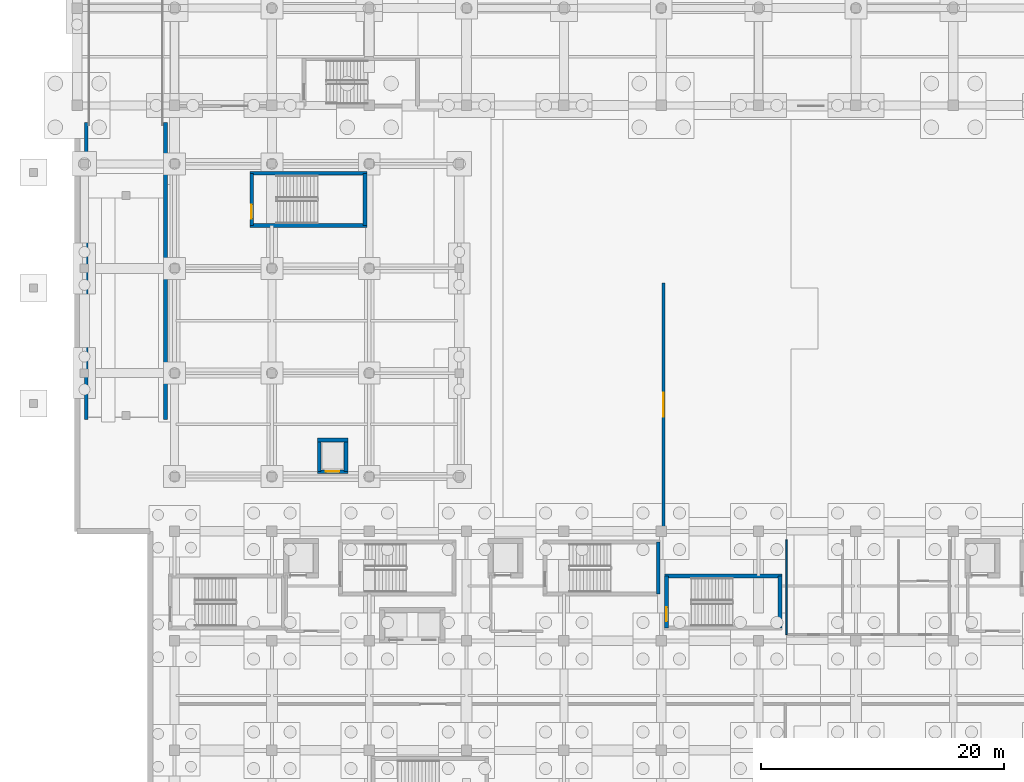
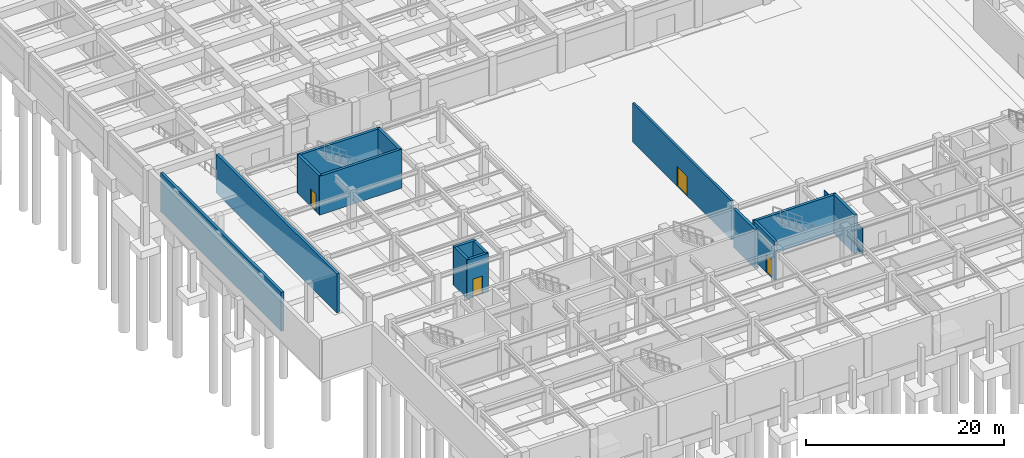
# One storey, part 29 of 48: 16 walls, 4 doors, 4 openings.
"""IFC4 building model written with IfcOpenShell, lengths in metres."""

from ifc_helpers import new_model, si_unit, direction, frame, frame_2d, origin, place, context, subcontext, project, spatial, rectangle, extrude, material, layer, layer_set, type_object, element, fill, save


model = new_model("IFC4")

# Units and contexts
model_context = context("Model", 3, precision=1e-05, world=origin(), true_north=direction((0.0, 1.0)))
body_context = subcontext(model_context, "Body", "Model", "MODEL_VIEW")
ifc_project = project(units=[si_unit("LENGTHUNIT", "METRE"), si_unit("AREAUNIT", "SQUARE_METRE"), si_unit("VOLUMEUNIT", "CUBIC_METRE"), si_unit("PLANEANGLEUNIT", "RADIAN"), si_unit("MASSUNIT", "GRAM", prefix="KILO")], contexts=[model_context])

# Site, building, storey
site_placement = place(None, origin())
site = spatial("IfcSite", under=ifc_project, at=site_placement, CompositionType="ELEMENT")
building_placement = place(site_placement, origin())
building = spatial("IfcBuilding", under=site, at=building_placement, Name="Tlacozan Convention Centre", CompositionType="ELEMENT")
storey_placement = place(building_placement, frame((0.0, 0.0, -4.800048828125)))
storey = spatial("IfcBuildingStorey", under=building, at=storey_placement, Name="B01", CompositionType="ELEMENT", Elevation=-4.800048828125)

# Wall, opening, door
ifc_material_1 = material(Name="Concrete C40/50", Category="concrete")
ifc_layer_1 = layer(ifc_material_1, 0.260009765625)
ifc_layer_set_1 = layer_set([ifc_layer_1], Name="Concrete C40/50")
wall_type_1 = type_object("IfcWallType", Name="Compartment Rated Wall RC 260", PredefinedType="SOLIDWALL", material=ifc_layer_set_1)
wall_1_placement = place(storey_placement, frame((48.199951171875, 27.39990234375, 0.0), z_axis=(0.0, 0.0, 1.0), x_axis=(0.0, 1.0, 0.0)))
wall_1 = element("IfcWall", 1, at=wall_1_placement, inside=storey, type_object=wall_type_1, Name="B01 Compartment Rated Wall RC 260 568", PredefinedType="SOLIDWALL", context=body_context, shape_type="SweptSolid", body=[
    extrude(rectangle(XDim=20.0, YDim=0.260009765625, at=frame_2d((10.0, 0.0))), origin(), (0.0, 0.0, 1.0), 4.800048828125),
])
opening_1_placement = place(wall_1_placement, frame((9.0, 0.0, 0.0)))
opening_1 = element("IfcOpeningElement", 2, at=opening_1_placement, cuts=wall_1, Name="Opening ID-12", PredefinedType="OPENING", context=body_context, shape_type="SweptSolid", body=[
    extrude(rectangle(XDim=2.0, YDim=2.449951171875, at=frame_2d((1.0, 1.22509765625))), frame((0.0, 0.139892578125, 0.0), z_axis=(0.0, -1.0, 0.0), x_axis=(1.0, 0.0, 0.0)), (0.0, 0.0, 1.0), 0.280029296875),
])
ifc_material_2 = material(Name="Fire-Rated Insulated Steel Door Leaf", Category="steel")
door_type_1 = type_object("IfcDoorType", Name="Plant Equipment Double Door 2000x2450", OperationType="DOUBLE_DOOR_SINGLE_SWING", PredefinedType="DOOR", material=ifc_material_2)
door_1_placement = place(opening_1_placement, origin())
door_1 = element("IfcDoor", 3, at=door_1_placement, inside=storey, type_object=door_type_1, Name="B01 Plant Equipment Double Door 2000x2450 154", OperationType="DOUBLE_DOOR_SINGLE_SWING", OverallHeight=2.449951171875, OverallWidth=2.0, PredefinedType="DOOR", context=body_context, shape_type="SweptSolid", body=[
    extrude(rectangle(XDim=2.0, YDim=2.449951171875, at=frame_2d((1.0, 1.22509765625))), frame((0.0, 0.02490234375, 0.0), z_axis=(0.0, -1.0, 0.0), x_axis=(1.0, 0.0, 0.0)), (0.0, 0.0, 1.0), 0.050048828125),
])
fill(opening_1, door_1)

# Walls
ifc_material_3 = material(Name="Acoustic Double-Stud Partition Assembly")
ifc_layer_2 = layer(ifc_material_3, 0.1201171875)
ifc_layer_set_2 = layer_set([ifc_layer_2], Name="Acoustic Double-Stud Partition Assembly")
wall_type_2 = type_object("IfcWallType", Name="Sanitary Tile Partition 120", PredefinedType="PARTITIONING", material=ifc_layer_set_2)
wall_2_placement = place(storey_placement, frame((58.300048828125, 18.5, 0.0), z_axis=(0.0, 0.0, 1.0), x_axis=(0.0, 1.0, 0.0)))
element("IfcWall", 4, at=wall_2_placement, inside=storey, type_object=wall_type_2, Name="B01 Sanitary Tile Partition 120 526", PredefinedType="PARTITIONING", context=body_context, shape_type="SweptSolid", body=[
    extrude(rectangle(XDim=7.800048828125, YDim=0.1201171875, at=frame_2d((3.89990234375, 0.0))), origin(), (0.0, 0.0, 1.0), 3.25),
])
ifc_layer_3 = layer(ifc_material_1, 0.31005859375)
ifc_layer_set_3 = layer_set([ifc_layer_3], Name="Concrete C40/50")
wall_type_3 = type_object("IfcWallType", Name="Stair Shaft Shear Wall RC 310", PredefinedType="SHEAR", material=ifc_layer_set_3)
wall_3_placement = place(storey_placement, frame((47.760009765625, 21.840087890625, 0.0), z_axis=(0.0, 0.0, 1.0), x_axis=(0.0, 1.0, 0.0)))
element("IfcWall", 5, at=wall_3_placement, inside=storey, type_object=wall_type_3, Name="B01 Stair Shaft Shear Wall RC 310 172", PredefinedType="SHEAR", context=body_context, shape_type="SweptSolid", body=[
    extrude(rectangle(XDim=4.280029296875, YDim=0.31005859375, at=frame_2d((2.14013671875, 0.0))), origin(), (0.0, 0.0, 1.0), 4.800048828125),
])
wall_4_placement = place(storey_placement, frame((48.284912109375, 23.320068359375, 0.0), z_axis=(0.0, 0.0, 1.0), x_axis=(1.0, 0.0, 0.0)))
element("IfcWall", 6, at=wall_4_placement, inside=storey, type_object=wall_type_3, Name="B01 Stair Shaft Shear Wall RC 310 310", PredefinedType="SHEAR", context=body_context, shape_type="SweptSolid", body=[
    extrude(rectangle(XDim=9.630126953125, YDim=0.31005859375, at=frame_2d((4.81494140625, 0.0))), origin(), (0.0, 0.0, 1.0), 4.800048828125),
])

# Wall, opening, door
wall_5_placement = place(storey_placement, frame((48.43994140625, 19.0400390625, 0.0), z_axis=(0.0, 0.0, 1.0), x_axis=(0.0, 1.0, 0.0)))
wall_5 = element("IfcWall", 7, at=wall_5_placement, inside=storey, type_object=wall_type_3, Name="B01 Stair Shaft Shear Wall RC 310 311", PredefinedType="SHEAR", context=body_context, shape_type="SweptSolid", body=[
    extrude(rectangle(XDim=4.280029296875, YDim=0.31005859375, at=frame_2d((2.14013671875, 0.0))), origin(), (0.0, 0.0, 1.0), 4.800048828125),
])
opening_2_placement = place(wall_5_placement, frame((0.550048828125, 0.0, 0.0)))
opening_2 = element("IfcOpeningElement", 8, at=opening_2_placement, cuts=wall_5, Name="Opening FD-02", PredefinedType="OPENING", context=body_context, shape_type="SweptSolid", body=[
    extrude(rectangle(XDim=1.14990234375, YDim=2.199951171875, at=frame_2d((0.574951171875, 1.10009765625))), frame((0.0, 0.1650390625, 0.0), z_axis=(0.0, -1.0, 0.0), x_axis=(1.0, 0.0, 0.0)), (0.0, 0.0, 1.0), 0.330078125),
])
door_type_2 = type_object("IfcDoorType", Name="Fire Door Stair 1150x2200 FD90", OperationType="NOTDEFINED", PredefinedType="DOOR", material=ifc_material_2)
door_2_placement = place(opening_2_placement, origin())
door_2 = element("IfcDoor", 9, at=door_2_placement, inside=storey, type_object=door_type_2, Name="B01 Stair ST-14 Access Door", OperationType="SINGLE_SWING_RIGHT", OverallHeight=2.199951171875, OverallWidth=1.14990234375, PredefinedType="DOOR", context=body_context, shape_type="SweptSolid", body=[
    extrude(rectangle(XDim=1.14990234375, YDim=2.199951171875, at=frame_2d((0.574951171875, 1.10009765625))), frame((0.0, 0.02490234375, 0.0), z_axis=(0.0, -1.0, 0.0), x_axis=(1.0, 0.0, 0.0)), (0.0, 0.0, 1.0), 0.050048828125),
])
fill(opening_2, door_2)

# Walls
wall_6_placement = place(storey_placement, frame((57.760009765625, 19.0400390625, 0.0), z_axis=(0.0, 0.0, 1.0), x_axis=(0.0, 1.0, 0.0)))
element("IfcWall", 10, at=wall_6_placement, inside=storey, type_object=wall_type_3, Name="B01 Stair Shaft Shear Wall RC 310 312", PredefinedType="SHEAR", context=body_context, shape_type="SweptSolid", body=[
    extrude(rectangle(XDim=4.280029296875, YDim=0.31005859375, at=frame_2d((2.14013671875, 0.0))), origin(), (0.0, 0.0, 1.0), 4.800048828125),
])
for number, where, z_axis, x_axis, name in (
    (11, (14.18505859375, 52.139892578125, 0.0), (0.0, 0.0, 1.0), (1.0, 0.0, 0.0), "B01 Stair Shaft Shear Wall RC 310 469"),
    (12, (14.18505859375, 56.419921875, 0.0), (0.0, 0.0, 1.0), (1.0, 0.0, 0.0), "B01 Stair Shaft Shear Wall RC 310 470"),
):
    element("IfcWall", number, at=place(storey_placement, frame(where, z_axis=z_axis, x_axis=x_axis)), inside=storey, type_object=wall_type_3, Name=name, PredefinedType="SHEAR", context=body_context, shape_type="SweptSolid", body=[
        extrude(rectangle(XDim=9.6298828125, YDim=0.31005859375, at=frame_2d((4.81494140625, 0.0))), origin(), (0.0, 0.0, 1.0), 4.800048828125),
    ])

# Wall, opening, door
wall_7_placement = place(storey_placement, frame((14.340087890625, 52.139892578125, 0.0), z_axis=(0.0, 0.0, 1.0), x_axis=(0.0, 1.0, 0.0)))
wall_7 = element("IfcWall", 13, at=wall_7_placement, inside=storey, type_object=wall_type_3, Name="B01 Stair Shaft Shear Wall RC 310 471", PredefinedType="SHEAR", context=body_context, shape_type="SweptSolid", body=[
    extrude(rectangle(XDim=4.280029296875, YDim=0.31005859375, at=frame_2d((2.14013671875, 0.0))), origin(), (0.0, 0.0, 1.0), 4.800048828125),
])
opening_3_placement = place(wall_7_placement, frame((0.550048828125, 0.0, 0.0)))
opening_3 = element("IfcOpeningElement", 14, at=opening_3_placement, cuts=wall_7, Name="Opening FD-02", PredefinedType="OPENING", context=body_context, shape_type="SweptSolid", body=[
    extrude(rectangle(XDim=1.14990234375, YDim=2.199951171875, at=frame_2d((0.574951171875, 1.10009765625))), frame((0.0, 0.1650390625, 0.0), z_axis=(0.0, -1.0, 0.0), x_axis=(1.0, 0.0, 0.0)), (0.0, 0.0, 1.0), 0.330078125),
])
door_3_placement = place(opening_3_placement, origin())
door_3 = element("IfcDoor", 15, at=door_3_placement, inside=storey, type_object=door_type_2, Name="B01 Stair ST-09 Access Door", OperationType="SINGLE_SWING_RIGHT", OverallHeight=2.199951171875, OverallWidth=1.14990234375, PredefinedType="DOOR", context=body_context, shape_type="SweptSolid", body=[
    extrude(rectangle(XDim=1.14990234375, YDim=2.199951171875, at=frame_2d((0.574951171875, 1.10009765625))), frame((0.0, 0.02490234375, 0.0), z_axis=(0.0, -1.0, 0.0), x_axis=(1.0, 0.0, 0.0)), (0.0, 0.0, 1.0), 0.050048828125),
])
fill(opening_3, door_3)

# Wall
wall_8_placement = place(storey_placement, frame((23.659912109375, 52.139892578125, 0.0), z_axis=(0.0, 0.0, 1.0), x_axis=(0.0, 1.0, 0.0)))
element("IfcWall", 16, at=wall_8_placement, inside=storey, type_object=wall_type_3, Name="B01 Stair Shaft Shear Wall RC 310 472", PredefinedType="SHEAR", context=body_context, shape_type="SweptSolid", body=[
    extrude(rectangle(XDim=4.280029296875, YDim=0.31005859375, at=frame_2d((2.14013671875, 0.0))), origin(), (0.0, 0.0, 1.0), 4.800048828125),
])

# Wall, opening, door
wall_9_placement = place(storey_placement, frame((19.7451171875, 31.89990234375, 0.0), z_axis=(0.0, 0.0, 1.0), x_axis=(1.0, 0.0, 0.0)))
wall_9 = element("IfcWall", 17, at=wall_9_placement, inside=storey, type_object=wall_type_3, Name="B01 Stair Shaft Shear Wall RC 310 513", PredefinedType="SHEAR", context=body_context, shape_type="SweptSolid", body=[
    extrude(rectangle(XDim=2.509765625, YDim=0.31005859375, at=frame_2d((1.2548828125, 0.0))), origin(), (0.0, 0.0, 1.0), 4.800048828125),
])
opening_4_placement = place(wall_9_placement, frame((0.699951171875, 0.0, 0.0)))
opening_4 = element("IfcOpeningElement", 18, at=opening_4_placement, cuts=wall_9, Name="Opening LD-01", PredefinedType="OPENING", context=body_context, shape_type="SweptSolid", body=[
    extrude(rectangle(XDim=1.10009765625, YDim=2.199951171875, at=frame_2d((0.550048828125, 1.10009765625))), frame((0.0, 0.1650390625, 0.0), z_axis=(0.0, -1.0, 0.0), x_axis=(1.0, 0.0, 0.0)), (0.0, 0.0, 1.0), 0.330078125),
])
ifc_material_4 = material(Name="Brushed Stainless Steel Sliding Landing Door", Category="steel")
door_type_3 = type_object("IfcDoorType", Name="Lift Sliding Landing Door 1100x2200", OperationType="DOUBLE_DOOR_SLIDING", PredefinedType="DOOR", material=ifc_material_4)
door_4_placement = place(opening_4_placement, origin())
door_4 = element("IfcDoor", 19, at=door_4_placement, inside=storey, type_object=door_type_3, Name="B01 Lift PL-08 Landing Door", OperationType="DOUBLE_DOOR_SLIDING", OverallHeight=2.199951171875, OverallWidth=1.10009765625, PredefinedType="DOOR", context=body_context, shape_type="SweptSolid", body=[
    extrude(rectangle(XDim=1.10009765625, YDim=2.199951171875, at=frame_2d((0.550048828125, 1.10009765625))), frame((0.0, 0.02490234375, 0.0), z_axis=(0.0, -1.0, 0.0), x_axis=(1.0, 0.0, 0.0)), (0.0, 0.0, 1.0), 0.050048828125),
])
fill(opening_4, door_4)

# Walls
wall_10_placement = place(storey_placement, frame((19.7451171875, 34.5, 0.0), z_axis=(0.0, 0.0, 1.0), x_axis=(1.0, 0.0, 0.0)))
element("IfcWall", 20, at=wall_10_placement, inside=storey, type_object=wall_type_3, Name="B01 Stair Shaft Shear Wall RC 310 514", PredefinedType="SHEAR", context=body_context, shape_type="SweptSolid", body=[
    extrude(rectangle(XDim=2.509765625, YDim=0.31005859375, at=frame_2d((1.2548828125, 0.0))), origin(), (0.0, 0.0, 1.0), 4.800048828125),
])
for number, where, z_axis, x_axis, name in (
    (21, (19.89990234375, 31.89990234375, 0.0), (0.0, 0.0, 1.0), (0.0, 1.0, 0.0), "B01 Stair Shaft Shear Wall RC 310 515"),
    (22, (22.10009765625, 31.89990234375, 0.0), (0.0, 0.0, 1.0), (0.0, 1.0, 0.0), "B01 Stair Shaft Shear Wall RC 310 516"),
):
    element("IfcWall", number, at=place(storey_placement, frame(where, z_axis=z_axis, x_axis=x_axis)), inside=storey, type_object=wall_type_3, Name=name, PredefinedType="SHEAR", context=body_context, shape_type="SweptSolid", body=[
        extrude(rectangle(XDim=2.60009765625, YDim=0.31005859375, at=frame_2d((1.300048828125, 0.0))), origin(), (0.0, 0.0, 1.0), 4.800048828125),
    ])
for number, where, z_axis, x_axis, name in (
    (23, (7.25, 36.199951171875, 0.0), (0.0, 0.0, 1.0), (0.0, 1.0, 0.0), "B01 Stair Shaft Shear Wall RC 310 632"),
    (24, (0.75, 36.199951171875, 0.0), (0.0, 0.0, 1.0), (0.0, 1.0, 0.0), "B01 Stair Shaft Shear Wall RC 310 633"),
):
    element("IfcWall", number, at=place(storey_placement, frame(where, z_axis=z_axis, x_axis=x_axis)), inside=storey, type_object=wall_type_3, Name=name, PredefinedType="SHEAR", context=body_context, shape_type="SweptSolid", body=[
        extrude(rectangle(XDim=24.400146484375, YDim=0.31005859375, at=frame_2d((12.2001953125, 0.0))), origin(), (0.0, 0.0, 1.0), 4.800048828125),
    ])

save(model, "model.ifc")
